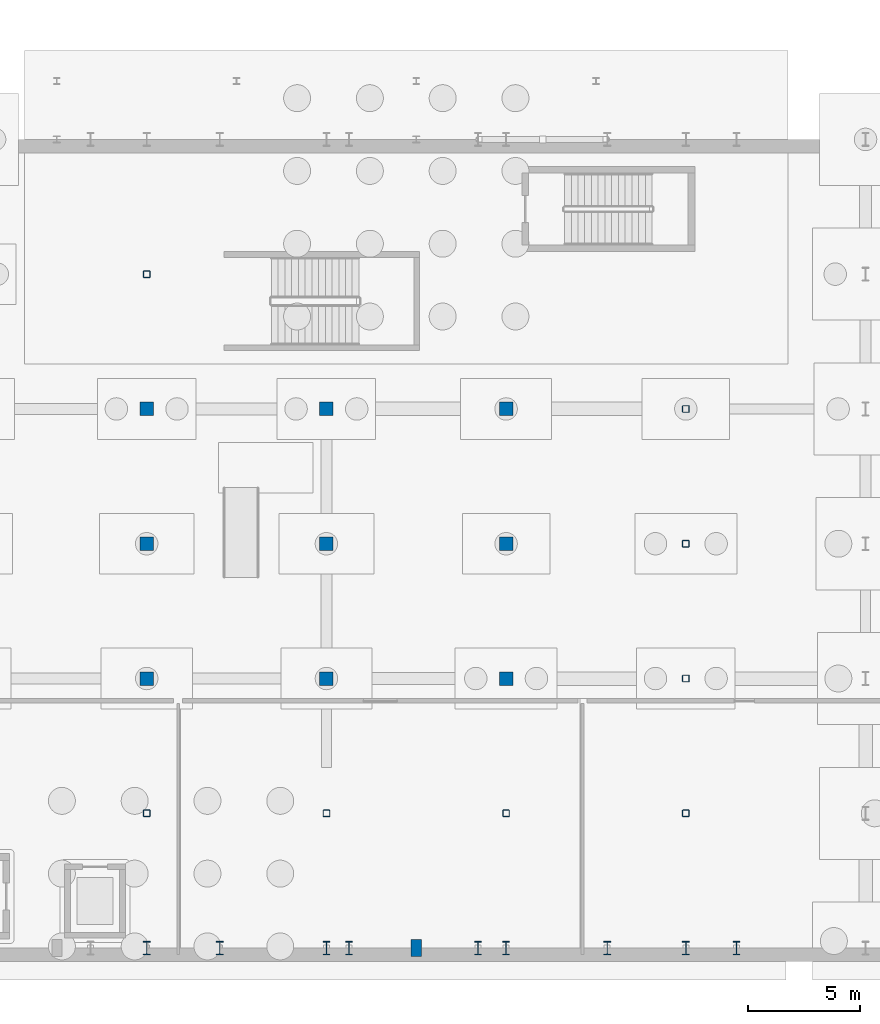
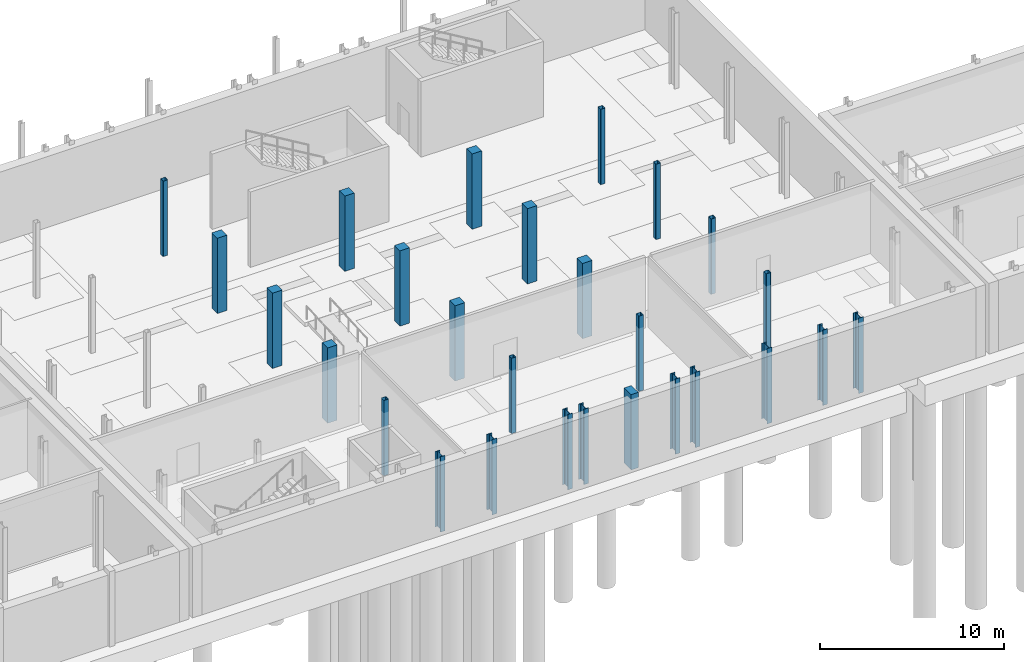
# One storey, part 10 of 47: 27 columns.
"""IFC4 building model written with IfcOpenShell, lengths in metres."""

from ifc_helpers import new_model, si_unit, direction, frame, origin, origin_2d, place, context, subcontext, project, spatial, rectangle, hollow_rectangle, i_section, extrude, material, material_profile, profile_set, type_object, element, save


model = new_model("IFC4")

# Units and contexts
model_context = context("Model", 3, precision=1e-05, world=origin(), true_north=direction((0.0, 1.0)))
body_context = subcontext(model_context, "Body", "Model", "MODEL_VIEW")
ifc_project = project(units=[si_unit("LENGTHUNIT", "METRE"), si_unit("AREAUNIT", "SQUARE_METRE"), si_unit("VOLUMEUNIT", "CUBIC_METRE"), si_unit("PLANEANGLEUNIT", "RADIAN"), si_unit("MASSUNIT", "GRAM", prefix="KILO")], contexts=[model_context])

# Site, building, storey
site_placement = place(None, origin())
site = spatial("IfcSite", under=ifc_project, at=site_placement, CompositionType="ELEMENT")
building_placement = place(site_placement, origin())
building = spatial("IfcBuilding", under=site, at=building_placement, Name="Cymarion Research Institute", CompositionType="ELEMENT")
storey_placement = place(building_placement, frame((0.0, 0.0, -5.0)))
storey = spatial("IfcBuildingStorey", under=building, at=storey_placement, Name="B1", CompositionType="ELEMENT", Elevation=-5.0)

# Columns
ifc_material_1 = material(Name="Concrete C40/50", Category="concrete")
ifc_material_profile_1 = material_profile(ifc_material_1, rectangle(XDim=0.449951171875, YDim=0.75, at=origin_2d()), Name="RC 450x750")
ifc_profile_set_1 = profile_set([ifc_material_profile_1], Name="Concrete C40/50")
column_type_1 = type_object("IfcColumnType", Name="CONCRETE PILASTER PL03 RC 450x750", PredefinedType="PILASTER", material=ifc_profile_set_1)
column_placement = place(storey_placement, frame((82.60009765625, 5.5, 0.0), z_axis=(0.0, 0.0, 1.0), x_axis=(1.0, 0.0, 0.0)))
element("IfcColumn", 1, at=column_placement, inside=storey, type_object=column_type_1, Name="B1 V2 column PL03 #153", PredefinedType="PILASTER", context=body_context, shape_type="SweptSolid", body=[
    extrude(rectangle(XDim=0.449951171875, YDim=0.75, at=origin_2d()), origin(), (0.0, 0.0, 1.0), 5.0),
])
ifc_material_2 = material(Name="Steel S355", Category="steel")
ifc_material_profile_2 = material_profile(ifc_material_2, i_section(OverallWidth=0.300048828125, OverallDepth=0.60009765625, WebThickness=0.015380859375, FlangeThickness=0.030029296875, FilletRadius=0.027099609375, at=origin_2d()), Name="HEB 600")
ifc_profile_set_2 = profile_set([ifc_material_profile_2], Name="Steel S355")
column_type_2 = type_object("IfcColumnType", Name="STRUCTURAL COLUMN C02 HEB 600", PredefinedType="COLUMN", material=ifc_profile_set_2)
for number, where, z_axis, x_axis, name in (
    (2, (70.60009765625, 5.5, 0.0), (0.0, 0.0, 1.0), (1.0, 0.0, 0.0), "B1 V2 column C02 #135"),
    (3, (73.85009765625, 5.5, 0.0), (0.0, 0.0, 1.0), (1.0, 0.0, 0.0), "B1 V2 column C02 #142"),
    (4, (78.60009765625, 5.5, 0.0), (0.0, 0.0, 1.0), (1.0, 0.0, 0.0), "B1 V2 column C02 #145"),
    (5, (79.60009765625, 5.5, 0.0), (0.0, 0.0, 1.0), (1.0, 0.0, 0.0), "B1 V2 column C02 #151"),
    (6, (85.35009765625, 5.5, 0.0), (0.0, 0.0, 1.0), (1.0, 0.0, 0.0), "B1 V2 column C02 #156"),
    (7, (86.60009765625, 5.5, 0.0), (0.0, 0.0, 1.0), (1.0, 0.0, 0.0), "B1 V2 column C02 #158"),
    (8, (91.10009765625, 5.5, 0.0), (0.0, 0.0, 1.0), (1.0, 0.0, 0.0), "B1 V2 column C02 #165"),
    (9, (94.60009765625, 5.5, 0.0), (0.0, 0.0, 1.0), (1.0, 0.0, 0.0), "B1 V2 column C02 #167"),
    (10, (96.85009765625, 5.5, 0.0), (0.0, 0.0, 1.0), (1.0, 0.0, 0.0), "B1 V2 column C02 #173"),
):
    element("IfcColumn", number, at=place(storey_placement, frame(where, z_axis=z_axis, x_axis=x_axis)), inside=storey, type_object=column_type_2, Name=name, PredefinedType="COLUMN", context=body_context, shape_type="SweptSolid", body=[
        extrude(i_section(OverallWidth=0.300048828125, OverallDepth=0.60009765625, WebThickness=0.015380859375, FlangeThickness=0.030029296875, FilletRadius=0.027099609375, at=origin_2d()), origin(), (0.0, 0.0, 1.0), 5.0),
    ])
ifc_material_profile_3 = material_profile(ifc_material_2, hollow_rectangle(XDim=0.300048828125, YDim=0.300048828125, WallThickness=0.012451171875, InnerFilletRadius=0.018798828125, OuterFilletRadius=0.03125, at=origin_2d()), Name="SHS 300x300x12.5")
ifc_profile_set_3 = profile_set([ifc_material_profile_3], Name="Steel S355")
column_type_3 = type_object("IfcColumnType", Name="STRUCTURAL COLUMN C14 SHS 300x300x12.5", PredefinedType="COLUMN", material=ifc_profile_set_3)
for number, where, z_axis, x_axis, name in (
    (11, (70.60009765625, 11.5, 0.0), (0.0, 0.0, 1.0), (1.0, 0.0, 0.0), "B1 V2 column C14 #136"),
    (12, (70.60009765625, 35.5, 0.0), (0.0, 0.0, 1.0), (1.0, 0.0, 0.0), "B1 V2 column C14 #140"),
    (13, (78.60009765625, 11.5, 0.0), (0.0, 0.0, 1.0), (1.0, 0.0, 0.0), "B1 V2 column C14 #146"),
    (14, (86.60009765625, 11.5, 0.0), (0.0, 0.0, 1.0), (1.0, 0.0, 0.0), "B1 V2 column C14 #159"),
    (15, (94.60009765625, 11.5, 0.0), (0.0, 0.0, 1.0), (1.0, 0.0, 0.0), "B1 V2 column C14 #168"),
    (16, (94.60009765625, 17.5, 0.0), (0.0, 0.0, 1.0), (1.0, 0.0, 0.0), "B1 V2 column C14 #169"),
    (17, (94.60009765625, 23.5, 0.0), (0.0, 0.0, 1.0), (1.0, 0.0, 0.0), "B1 V2 column C14 #170"),
    (18, (94.60009765625, 29.5, 0.0), (0.0, 0.0, 1.0), (1.0, 0.0, 0.0), "B1 V2 column C14 #171"),
):
    element("IfcColumn", number, at=place(storey_placement, frame(where, z_axis=z_axis, x_axis=x_axis)), inside=storey, type_object=column_type_3, Name=name, PredefinedType="COLUMN", context=body_context, shape_type="SweptSolid", body=[
        extrude(hollow_rectangle(XDim=0.300048828125, YDim=0.300048828125, WallThickness=0.012451171875, InnerFilletRadius=0.018798828125, OuterFilletRadius=0.03125, at=origin_2d()), origin(), (0.0, 0.0, 1.0), 5.0),
    ])
ifc_material_profile_4 = material_profile(ifc_material_1, rectangle(XDim=0.60009765625, YDim=0.60009765625, at=origin_2d()), Name="RC 600x600")
ifc_profile_set_4 = profile_set([ifc_material_profile_4], Name="Concrete C40/50")
column_type_4 = type_object("IfcColumnType", Name="STRUCTURAL COLUMN C18 RC 600x600", PredefinedType="COLUMN", material=ifc_profile_set_4)
for number, where, z_axis, x_axis, name in (
    (19, (70.60009765625, 17.5, 0.0), (0.0, 0.0, 1.0), (1.0, 0.0, 0.0), "B1 V2 column C18 #137"),
    (20, (70.60009765625, 23.5, 0.0), (0.0, 0.0, 1.0), (1.0, 0.0, 0.0), "B1 V2 column C18 #138"),
    (21, (70.60009765625, 29.5, 0.0), (0.0, 0.0, 1.0), (1.0, 0.0, 0.0), "B1 V2 column C18 #139"),
    (22, (78.60009765625, 17.5, 0.0), (0.0, 0.0, 1.0), (1.0, 0.0, 0.0), "B1 V2 column C18 #147"),
    (23, (78.60009765625, 23.5, 0.0), (0.0, 0.0, 1.0), (1.0, 0.0, 0.0), "B1 V2 column C18 #148"),
    (24, (78.60009765625, 29.5, 0.0), (0.0, 0.0, 1.0), (1.0, 0.0, 0.0), "B1 V2 column C18 #149"),
    (25, (86.60009765625, 17.5, 0.0), (0.0, 0.0, 1.0), (1.0, 0.0, 0.0), "B1 V2 column C18 #160"),
    (26, (86.60009765625, 23.5, 0.0), (0.0, 0.0, 1.0), (1.0, 0.0, 0.0), "B1 V2 column C18 #161"),
    (27, (86.60009765625, 29.5, 0.0), (0.0, 0.0, 1.0), (1.0, 0.0, 0.0), "B1 V2 column C18 #162"),
):
    element("IfcColumn", number, at=place(storey_placement, frame(where, z_axis=z_axis, x_axis=x_axis)), inside=storey, type_object=column_type_4, Name=name, PredefinedType="COLUMN", context=body_context, shape_type="SweptSolid", body=[
        extrude(rectangle(XDim=0.60009765625, YDim=0.60009765625, at=origin_2d()), origin(), (0.0, 0.0, 1.0), 5.0),
    ])

save(model, "model.ifc")
